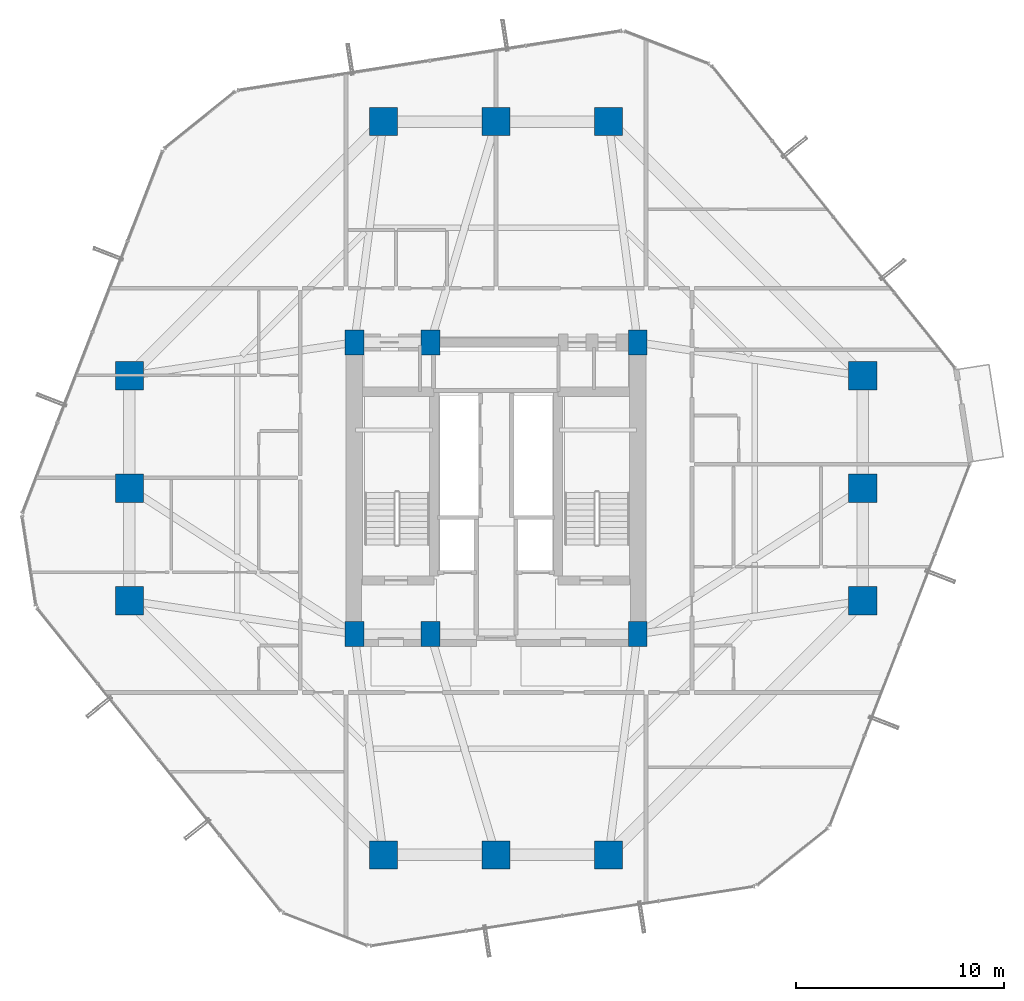
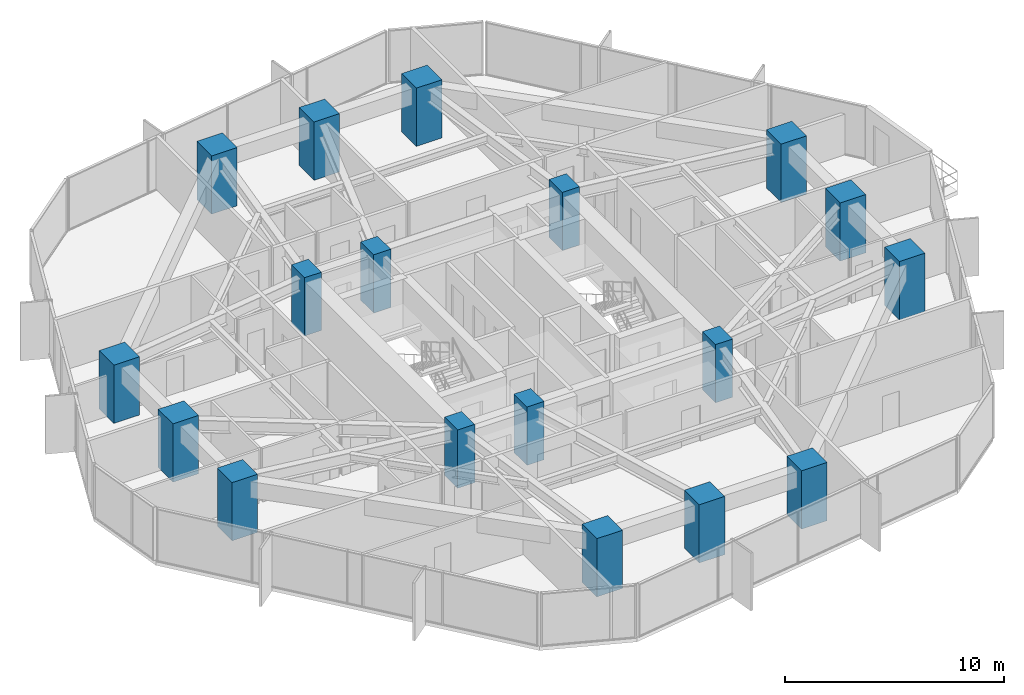
# One storey, part 1 of 37: 18 columns.
"""IFC4 building model written with IfcOpenShell, lengths in metres."""

from ifc_helpers import new_model, si_unit, direction, frame, origin, origin_2d, place, context, subcontext, project, spatial, rectangle, extrude, material, material_profile, profile_set, type_object, element, save


model = new_model("IFC4")

# Units and contexts
model_context = context("Model", 3, precision=1e-05, world=origin(), true_north=direction((0.0, 1.0)))
body_context = subcontext(model_context, "Body", "Model", "MODEL_VIEW")
ifc_project = project(units=[si_unit("LENGTHUNIT", "METRE"), si_unit("AREAUNIT", "SQUARE_METRE"), si_unit("VOLUMEUNIT", "CUBIC_METRE"), si_unit("PLANEANGLEUNIT", "RADIAN"), si_unit("MASSUNIT", "GRAM", prefix="KILO")], contexts=[model_context])

# Site, building, storey
site_placement = place(None, origin())
site = spatial("IfcSite", under=ifc_project, at=site_placement, CompositionType="ELEMENT")
building_placement = place(site_placement, origin())
building = spatial("IfcBuilding", under=site, at=building_placement, Name="Veraguas Prism Commons", CompositionType="ELEMENT")
storey_placement = place(building_placement, frame((0.0, 0.0, 53.300048828125)))
storey = spatial("IfcBuildingStorey", under=building, at=storey_placement, Name="L14", CompositionType="ELEMENT", Elevation=53.300048828125)

# Columns
ifc_material = material(Name="Concrete C60/75", Category="concrete")
ifc_material_profile_1 = material_profile(ifc_material, rectangle(XDim=1.35009765625, YDim=1.35009765625, at=origin_2d()), Name="RC1350X1350")
ifc_profile_set_1 = profile_set([ifc_material_profile_1], Name="Concrete C60/75")
column_type_1 = type_object("IfcColumnType", Name="Column Tube Z1 RC 1350x1350", PredefinedType="COLUMN", material=ifc_profile_set_1)
for number, where, z_axis, x_axis, name in (
    (1, (41.60009765625, 18.60009765625, 0.0), (0.0, 0.0, 1.0), (1.0, 0.0, 0.0), "Tower Perimeter Column L14-TB01"),
    (2, (41.60009765625, 24.0, 0.0), (0.0, 0.0, 1.0), (1.0, 0.0, 0.0), "Tower Perimeter Column L14-TB02"),
    (3, (41.60009765625, 29.39990234375, 0.0), (0.0, 0.0, 1.0), (1.0, 0.0, 0.0), "Tower Perimeter Column L14-TB03"),
    (4, (29.39990234375, 41.60009765625, 0.0), (0.0, 0.0, 1.0), (1.0, 0.0, 0.0), "Tower Perimeter Column L14-TB04"),
    (5, (24.0, 41.60009765625, 0.0), (0.0, 0.0, 1.0), (1.0, 0.0, 0.0), "Tower Perimeter Column L14-TB05"),
    (6, (18.60009765625, 41.60009765625, 0.0), (0.0, 0.0, 1.0), (1.0, 0.0, 0.0), "Tower Perimeter Column L14-TB06"),
    (7, (6.39990234375, 29.39990234375, 0.0), (0.0, 0.0, 1.0), (1.0, 0.0, 0.0), "Tower Perimeter Column L14-TB07"),
    (8, (6.39990234375, 24.0, 0.0), (0.0, 0.0, 1.0), (1.0, 0.0, 0.0), "Tower Perimeter Column L14-TB08"),
    (9, (6.39990234375, 18.60009765625, 0.0), (0.0, 0.0, 1.0), (1.0, 0.0, 0.0), "Tower Perimeter Column L14-TB09"),
    (10, (18.60009765625, 6.39990234375, 0.0), (0.0, 0.0, 1.0), (1.0, 0.0, 0.0), "Tower Perimeter Column L14-TB10"),
    (11, (24.0, 6.39990234375, 0.0), (0.0, 0.0, 1.0), (1.0, 0.0, 0.0), "Tower Perimeter Column L14-TB11"),
    (12, (29.39990234375, 6.39990234375, 0.0), (0.0, 0.0, 1.0), (1.0, 0.0, 0.0), "Tower Perimeter Column L14-TB12"),
):
    element("IfcColumn", number, at=place(storey_placement, frame(where, z_axis=z_axis, x_axis=x_axis)), inside=storey, type_object=column_type_1, Name=name, PredefinedType="COLUMN", context=body_context, shape_type="SweptSolid", body=[
        extrude(rectangle(XDim=1.35009765625, YDim=1.35009765625, at=origin_2d()), origin(), (0.0, 0.0, 1.0), 3.25),
    ])
ifc_material_profile_2 = material_profile(ifc_material, rectangle(XDim=0.89990234375, YDim=1.199951171875, at=origin_2d()), Name="RC900X1200")
ifc_profile_set_2 = profile_set([ifc_material_profile_2], Name="Concrete C60/75")
column_type_2 = type_object("IfcColumnType", Name="Pilaster Core Lower RC 900x1200", PredefinedType="PILASTER", material=ifc_profile_set_2)
for number, where, z_axis, x_axis, name in (
    (13, (17.199951171875, 17.0, 0.0), (0.0, 0.0, 1.0), (1.0, 0.0, 0.0), "Core Pilaster Column L14-CR1"),
    (14, (20.85009765625, 17.0, 0.0), (0.0, 0.0, 1.0), (1.0, 0.0, 0.0), "Core Pilaster Column L14-CR2"),
    (15, (30.800048828125, 17.0, 0.0), (0.0, 0.0, 1.0), (1.0, 0.0, 0.0), "Core Pilaster Column L14-CR3"),
    (16, (17.199951171875, 31.0, 0.0), (0.0, 0.0, 1.0), (1.0, 0.0, 0.0), "Core Pilaster Column L14-CR4"),
    (17, (20.85009765625, 31.0, 0.0), (0.0, 0.0, 1.0), (1.0, 0.0, 0.0), "Core Pilaster Column L14-CR5"),
    (18, (30.800048828125, 31.0, 0.0), (0.0, 0.0, 1.0), (1.0, 0.0, 0.0), "Core Pilaster Column L14-CR6"),
):
    element("IfcColumn", number, at=place(storey_placement, frame(where, z_axis=z_axis, x_axis=x_axis)), inside=storey, type_object=column_type_2, Name=name, PredefinedType="PILASTER", context=body_context, shape_type="SweptSolid", body=[
        extrude(rectangle(XDim=0.89990234375, YDim=1.199951171875, at=origin_2d()), origin(), (0.0, 0.0, 1.0), 3.25),
    ])

save(model, "model.ifc")
